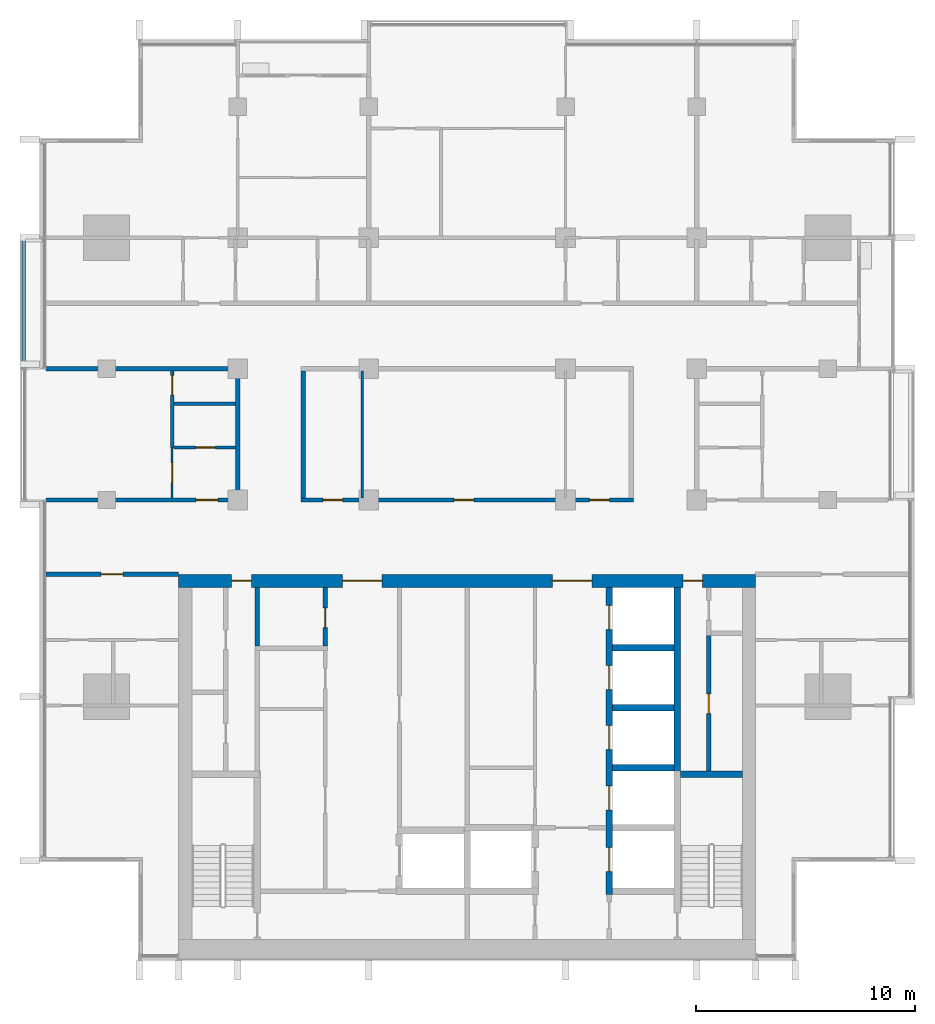
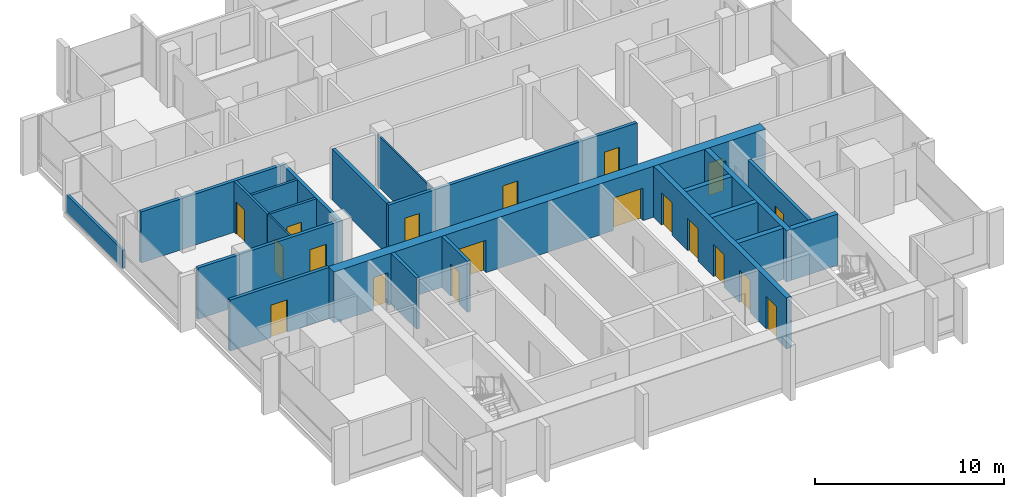
# One storey, part 8 of 16: 22 walls, 19 doors, 19 openings.
"""IFC4 building model written with IfcOpenShell, lengths in metres."""

import ifcopenshell
import ifcopenshell.guid

model = None  # the IFC model being written
_history = None  # IfcOwnerHistory: only IFC2X3 demands one
_inside = {}  # id of a spatial element -> (the spatial element, [elements in it])
_under = {}  # id of a project, library or spatial element -> (it, [spatial elements below it])
_declared = {}  # id of a project -> (the project, [libraries it declares])
_typed = {}  # id of a type object -> (the type object, [elements of that type])
_made_of = {}  # id of a material, layer set ... -> (it, [elements and type objects made of it])


def new_model(schema):
    """Start an empty IFC model of exactly this schema.

    Asked for "IFC4X3", IfcOpenShell would pick the latest addendum, in which some entities
    have other attributes; the version numbers below select the first issue.
    IFC2X3 requires an IfcOwnerHistory on every rooted entity: one is made here for all.
    """
    global model, _history
    if schema == "IFC4X3":
        model = ifcopenshell.file(schema_version=(4, 3, 0, 0))
    else:
        model = ifcopenshell.file(schema=schema)
    _inside.clear()
    _under.clear()
    _declared.clear()
    _typed.clear()
    _made_of.clear()
    _history = None
    if model.schema == "IFC2X3":
        org = make("IfcOrganization", Name="unknown")
        user = make(
            "IfcPersonAndOrganization",
            ThePerson=make("IfcPerson", FamilyName="unknown"),
            TheOrganization=org,
        )
        app = make(
            "IfcApplication",
            ApplicationDeveloper=org,
            Version="unknown",
            ApplicationFullName="unknown",
            ApplicationIdentifier="unknown",
        )
        _history = make(
            "IfcOwnerHistory",
            OwningUser=user,
            OwningApplication=app,
            ChangeAction="ADDED",
            CreationDate=0,
        )
    return model


def make(cls, **values):
    """One entity of the class cls with the attributes given. An attribute that is None is left unset."""
    return model.create_entity(
        cls, **{name: value for name, value in values.items() if value is not None}
    )


def rooted(cls, **values):
    """An entity with a GlobalId (a new one), such as an element, a storey or a relation."""
    return make(cls, GlobalId=ifcopenshell.guid.new(), OwnerHistory=_history, **values)


def si_unit(unit_type, name, prefix=None):
    """IfcSIUnit, for example si_unit("LENGTHUNIT", "METRE", prefix="MILLI")."""
    return make("IfcSIUnit", UnitType=unit_type, Prefix=prefix, Name=name)


def assignment(units):
    """IfcUnitAssignment: the units of a project."""
    return None if units is None else make("IfcUnitAssignment", Units=units)


def point(xyz):
    """IfcCartesianPoint."""
    return None if xyz is None else make("IfcCartesianPoint", Coordinates=xyz)


def direction(xyz):
    """IfcDirection."""
    return None if xyz is None else make("IfcDirection", DirectionRatios=xyz)


def frame(location, z_axis=None, x_axis=None):
    """IfcAxis2Placement3D, a coordinate frame: its origin and axes. An axis left out is left unset."""
    return make(
        "IfcAxis2Placement3D",
        Location=point(location),
        Axis=direction(z_axis),
        RefDirection=direction(x_axis),
    )


def frame_2d(location, x_axis=None):
    """IfcAxis2Placement2D, a coordinate frame in the plane: its origin and x axis."""
    return make(
        "IfcAxis2Placement2D", Location=point(location), RefDirection=direction(x_axis)
    )


def origin():
    """The frame at (0, 0, 0) with its axes left unset."""
    return frame((0.0, 0.0, 0.0))


def place(relative_to, where):
    """IfcLocalPlacement: puts the frame where relative to a parent placement (None: the world)."""
    return make(
        "IfcLocalPlacement", PlacementRelTo=relative_to, RelativePlacement=where
    )


def context(
    kind, dimensions, precision=None, world=None, true_north=None, identifier=None
):
    """IfcGeometricRepresentationContext, for example the 3D "Model" context."""
    return make(
        "IfcGeometricRepresentationContext",
        ContextIdentifier=identifier,
        ContextType=kind,
        CoordinateSpaceDimension=dimensions,
        Precision=precision,
        WorldCoordinateSystem=world,
        TrueNorth=true_north,
    )


def subcontext(parent, identifier, kind, view, scale=None):
    """IfcGeometricRepresentationSubContext, for example "Body" below "Model"."""
    return make(
        "IfcGeometricRepresentationSubContext",
        ContextIdentifier=identifier,
        ContextType=kind,
        ParentContext=parent,
        TargetScale=scale,
        TargetView=view,
    )


def project(units=None, contexts=None):
    """IfcProject with its units and contexts."""
    return rooted(
        "IfcProject",
        Name="project",
        RepresentationContexts=contexts,
        UnitsInContext=assignment(units),
    )


def spatial(cls, under=None, at=None, **own):
    """A site, building, storey or space (cls), placed at a placement, below another one or the project."""
    s = rooted(cls, ObjectPlacement=at, **own)
    if under is not None:
        _under.setdefault(under.id(), (under, []))[1].append(s)
    return s


def profile(cls, at=None, kind="AREA", **sizes):
    """A parametric profile (cls). Its sizes go by their IFC names, for example OverallWidth=200.0."""
    return make(cls, ProfileType=kind, Position=at, **sizes)


def rectangle(**sizes):
    """IfcRectangleProfileDef."""
    return profile("IfcRectangleProfileDef", **sizes)


def extrude(swept, where, along, depth):
    """IfcExtrudedAreaSolid: the profile swept, set in the frame where, extruded along a direction by depth."""
    return make(
        "IfcExtrudedAreaSolid",
        SweptArea=swept,
        Position=where,
        ExtrudedDirection=direction(along),
        Depth=depth,
    )


def shape(context_of_items, identifier, shape_type, items):
    """IfcShapeRepresentation: the items that make up one representation, for example the "Body"."""
    return make(
        "IfcShapeRepresentation",
        ContextOfItems=context_of_items,
        RepresentationIdentifier=identifier,
        RepresentationType=shape_type,
        Items=items,
    )


def material(Name=None, Category=None):
    """IfcMaterial."""
    return make("IfcMaterial", Name=Name, Category=Category)


def layer(
    of_material, thickness, ventilated=None, Name=None, Category=None, Priority=None
):
    """IfcMaterialLayer: one layer of a wall or slab, of a material (None: an air gap)."""
    return make(
        "IfcMaterialLayer",
        Material=of_material,
        LayerThickness=thickness,
        IsVentilated=ventilated,
        Name=Name,
        Category=Category,
        Priority=Priority,
    )


def layer_set(layers, Name=None):
    """IfcMaterialLayerSet."""
    return make("IfcMaterialLayerSet", MaterialLayers=layers, LayerSetName=Name)


def made_of(thing, what):
    """Note that an element or type object is made of a material, layer set ...; save() writes the relation."""
    if what is not None:
        _made_of.setdefault(what.id(), (what, []))[1].append(thing)
    return thing


def type_object(cls, material=None, **own):
    """A type object (cls), such as IfcWallType, which elements share."""
    return made_of(rooted(cls, **own), material)


def element(
    cls,
    number,
    at=None,
    inside=None,
    cuts=None,
    type_object=None,
    material=None,
    context=None,
    identifier="Body",
    shape_type=None,
    held_by="IfcProductDefinitionShape",
    body=None,
    shapes=None,
    **own,
):
    """One element of the class cls, such as IfcWall. Its Tag is "e" and its number.

    at: its placement. inside: the storey or other place that contains it. cuts: it is an
    opening in that element (IfcRelVoidsElement). A single representation is given by context,
    identifier, shape_type and body (its items); several are given by shapes. held_by: the class
    of the entity that holds the representations. save() writes the other relations.
    """
    e = rooted(cls, Tag="e%d" % number, ObjectPlacement=at, **own)
    if body is not None:
        shapes = [shape(context, identifier, shape_type, body)]
    if shapes is not None:
        e.Representation = make(held_by, Representations=shapes)
    if inside is not None:
        _inside.setdefault(inside.id(), (inside, []))[1].append(e)
    if cuts is not None:
        rooted(
            "IfcRelVoidsElement", RelatingBuildingElement=cuts, RelatedOpeningElement=e
        )
    if type_object is not None:
        _typed.setdefault(type_object.id(), (type_object, []))[1].append(e)
    return made_of(e, material)


def fill(opening, filler):
    """IfcRelFillsElement: the door or window that sits in an opening."""
    return rooted(
        "IfcRelFillsElement",
        RelatingOpeningElement=opening,
        RelatedBuildingElement=filler,
    )


def aggregate(whole, parts):
    """IfcRelAggregates: a whole, such as a stair, and the parts it consists of."""
    return rooted("IfcRelAggregates", RelatingObject=whole, RelatedObjects=parts)


def save(model, path):
    """Write the relations noted so far, then the file.

    IfcRelAggregates (storeys below a building ...), IfcRelContainedInSpatialStructure (elements
    in a storey), IfcRelDefinesByType, IfcRelAssociatesMaterial and IfcRelDeclares: one each for
    every whole, place, type object, material and project.
    """
    for whole, parts in _under.values():
        aggregate(whole, parts)
    for where, things in _inside.values():
        rooted(
            "IfcRelContainedInSpatialStructure",
            RelatedElements=things,
            RelatingStructure=where,
        )
    for kind, things in _typed.values():
        rooted("IfcRelDefinesByType", RelatedObjects=things, RelatingType=kind)
    for what, things in _made_of.values():
        rooted("IfcRelAssociatesMaterial", RelatedObjects=things, RelatingMaterial=what)
    for by, libraries in _declared.values():
        rooted("IfcRelDeclares", RelatingContext=by, RelatedDefinitions=libraries)
    model.write(path)


model = new_model("IFC4")

# Units and contexts
model_context = context("Model", 3, precision=1e-05, world=origin(), true_north=direction((0.0, 1.0)))
body_context = subcontext(model_context, "Body", "Model", "MODEL_VIEW")
ifc_project = project(units=[si_unit("LENGTHUNIT", "METRE"), si_unit("AREAUNIT", "SQUARE_METRE"), si_unit("VOLUMEUNIT", "CUBIC_METRE"), si_unit("PLANEANGLEUNIT", "RADIAN"), si_unit("MASSUNIT", "GRAM", prefix="KILO")], contexts=[model_context])

# Site, building, storey
site_placement = place(None, origin())
site = spatial("IfcSite", under=ifc_project, at=site_placement, CompositionType="ELEMENT")
building_placement = place(site_placement, origin())
building = spatial("IfcBuilding", under=site, at=building_placement, Name="Finial Court Residences", CompositionType="ELEMENT")
storey_placement = place(building_placement, frame((0.0, 0.0, 237.5)))
storey = spatial("IfcBuildingStorey", under=building, at=storey_placement, Name="L60", CompositionType="ELEMENT", Elevation=237.5)

# Wall, openings, doors
ifc_material_1 = material(Name="Concrete C60/75", Category="concrete")
ifc_layer_1 = layer(ifc_material_1, 0.60009765625)
ifc_layer_set_1 = layer_set([ifc_layer_1], Name="Core outer wall 600 Concrete C60/75")
wall_type_1 = type_object("IfcWallType", Name="Core outer wall 600 Concrete C60/75", PredefinedType="SHEAR", material=ifc_layer_set_1)
wall_1_placement = place(storey_placement, frame((-13.199951171875, -8.199951171875, 0.0), z_axis=(0.0, 0.0, 1.0), x_axis=(1.0, 0.0, 0.0)))
wall_1 = element("IfcWall", 1, at=wall_1_placement, inside=storey, type_object=wall_type_1, Name="Core outer wall L60-02", PredefinedType="SHEAR", context=body_context, shape_type="SweptSolid", body=[
    extrude(rectangle(XDim=26.39990234375, YDim=0.60009765625, at=frame_2d((13.199951171875, 0.0))), origin(), (0.0, 0.0, 1.0), 3.300048828125),
])
opening_1_placement = place(wall_1_placement, frame((7.5, 0.0, 0.0)))
opening_1 = element("IfcOpeningElement", 2, at=opening_1_placement, cuts=wall_1, Name="Opening L60-C04", PredefinedType="OPENING", context=body_context, shape_type="SweptSolid", body=[
    extrude(rectangle(XDim=1.800048828125, YDim=2.10009765625, at=frame_2d((0.89990234375, 1.050048828125))), frame((0.0, 0.31005859375, 0.0), z_axis=(0.0, -1.0, 0.0), x_axis=(1.0, 0.0, 0.0)), (0.0, 0.0, 1.0), 0.6201171875),
])
opening_2_placement = place(wall_1_placement, frame((17.10009765625, 0.0, 0.0)))
opening_2 = element("IfcOpeningElement", 3, at=opening_2_placement, cuts=wall_1, Name="Opening L60-C05", PredefinedType="OPENING", context=body_context, shape_type="SweptSolid", body=[
    extrude(rectangle(XDim=1.800048828125, YDim=2.10009765625, at=frame_2d((0.89990234375, 1.050048828125))), frame((0.0, 0.31005859375, 0.0), z_axis=(0.0, -1.0, 0.0), x_axis=(1.0, 0.0, 0.0)), (0.0, 0.0, 1.0), 0.6201171875),
])
opening_3_placement = place(wall_1_placement, frame((2.425048828125, 0.0, 0.0)))
opening_3 = element("IfcOpeningElement", 4, at=opening_3_placement, cuts=wall_1, Name="Opening L60-C11", PredefinedType="OPENING", context=body_context, shape_type="SweptSolid", body=[
    extrude(rectangle(XDim=0.89990234375, YDim=2.10009765625, at=frame_2d((0.449951171875, 1.050048828125))), frame((0.0, 0.31005859375, 0.0), z_axis=(0.0, -1.0, 0.0), x_axis=(1.0, 0.0, 0.0)), (0.0, 0.0, 1.0), 0.6201171875),
])
opening_4_placement = place(wall_1_placement, frame((23.074951171875, 0.0, 0.0)))
opening_4 = element("IfcOpeningElement", 5, at=opening_4_placement, cuts=wall_1, Name="Opening L60-C12", PredefinedType="OPENING", context=body_context, shape_type="SweptSolid", body=[
    extrude(rectangle(XDim=0.89990234375, YDim=2.10009765625, at=frame_2d((0.449951171875, 1.050048828125))), frame((0.0, 0.31005859375, 0.0), z_axis=(0.0, -1.0, 0.0), x_axis=(1.0, 0.0, 0.0)), (0.0, 0.0, 1.0), 0.6201171875),
])
ifc_material_2 = material(Name="Steel fire door", Category="steel")
door_type_1 = type_object("IfcDoorType", Name="Lift lobby door 1800 x 2100 EI 60", OperationType="DOUBLE_DOOR_SINGLE_SWING", PredefinedType="DOOR", material=ifc_material_2)
door_1_placement = place(opening_1_placement, origin())
door_1 = element("IfcDoor", 6, at=door_1_placement, inside=storey, type_object=door_type_1, Name="Lift lobby door L60-C04", OperationType="DOUBLE_DOOR_SINGLE_SWING", OverallHeight=2.10009765625, OverallWidth=1.800048828125, PredefinedType="DOOR", context=body_context, shape_type="SweptSolid", body=[
    extrude(rectangle(XDim=1.800048828125, YDim=2.10009765625, at=frame_2d((0.89990234375, 1.050048828125))), frame((0.0, 0.02490234375, 0.0), z_axis=(0.0, -1.0, 0.0), x_axis=(1.0, 0.0, 0.0)), (0.0, 0.0, 1.0), 0.050048828125),
])
fill(opening_1, door_1)
door_2_placement = place(opening_2_placement, origin())
door_2 = element("IfcDoor", 7, at=door_2_placement, inside=storey, type_object=door_type_1, Name="Lift lobby door L60-C05", OperationType="DOUBLE_DOOR_SINGLE_SWING", OverallHeight=2.10009765625, OverallWidth=1.800048828125, PredefinedType="DOOR", context=body_context, shape_type="SweptSolid", body=[
    extrude(rectangle(XDim=1.800048828125, YDim=2.10009765625, at=frame_2d((0.89990234375, 1.050048828125))), frame((0.0, 0.02490234375, 0.0), z_axis=(0.0, -1.0, 0.0), x_axis=(1.0, 0.0, 0.0)), (0.0, 0.0, 1.0), 0.050048828125),
])
fill(opening_2, door_2)
door_type_2 = type_object("IfcDoorType", Name="Riser room door 900 x 2100 EI 90", OperationType="NOTDEFINED", PredefinedType="DOOR", material=ifc_material_2)
door_3_placement = place(opening_3_placement, origin())
door_3 = element("IfcDoor", 8, at=door_3_placement, inside=storey, type_object=door_type_2, Name="Riser room door L60-C11", OperationType="SINGLE_SWING_RIGHT", OverallHeight=2.10009765625, OverallWidth=0.89990234375, PredefinedType="DOOR", context=body_context, shape_type="SweptSolid", body=[
    extrude(rectangle(XDim=0.89990234375, YDim=2.10009765625, at=frame_2d((0.449951171875, 1.050048828125))), frame((0.0, 0.02490234375, 0.0), z_axis=(0.0, -1.0, 0.0), x_axis=(1.0, 0.0, 0.0)), (0.0, 0.0, 1.0), 0.050048828125),
])
fill(opening_3, door_3)
door_4_placement = place(opening_4_placement, origin())
door_4 = element("IfcDoor", 9, at=door_4_placement, inside=storey, type_object=door_type_2, Name="Riser room door L60-C12", OperationType="SINGLE_SWING_LEFT", OverallHeight=2.10009765625, OverallWidth=0.89990234375, PredefinedType="DOOR", context=body_context, shape_type="SweptSolid", body=[
    extrude(rectangle(XDim=0.89990234375, YDim=2.10009765625, at=frame_2d((0.449951171875, 1.050048828125))), frame((0.0, 0.02490234375, 0.0), z_axis=(0.0, -1.0, 0.0), x_axis=(1.0, 0.0, 0.0)), (0.0, 0.0, 1.0), 0.050048828125),
])
fill(opening_4, door_4)

# Wall, opening, door
ifc_material_3 = material(Name="Gypsum board")
ifc_layer_2 = layer(ifc_material_3, 0.02490234375)
ifc_material_4 = material(Name="Acoustic mineral wool in double frame")
ifc_layer_3 = layer(ifc_material_4, 0.14990234375)
ifc_layer_4 = layer(ifc_material_3, 0.02490234375)
ifc_layer_set_2 = layer_set([ifc_layer_2, ifc_layer_3, ifc_layer_4], Name="Corridor wall 200, 1 hour")
wall_type_2 = type_object("IfcWallType", Name="Corridor wall 200, 1 hour", PredefinedType="PARTITIONING", material=ifc_layer_set_2)
wall_2_placement = place(storey_placement, frame((-19.262451171875, -7.89990234375, 0.0), z_axis=(0.0, 0.0, 1.0), x_axis=(1.0, 0.0, 0.0)))
wall_2 = element("IfcWall", 10, at=wall_2_placement, inside=storey, type_object=wall_type_2, Name="Partition L60-004", PredefinedType="PARTITIONING", context=body_context, shape_type="SweptSolid", body=[
    extrude(rectangle(XDim=6.0625, YDim=0.199951171875, at=frame_2d((3.03125, 0.0))), origin(), (0.0, 0.0, 1.0), 3.300048828125),
])
opening_5_placement = place(wall_2_placement, frame((2.511962890625, 0.0, 0.0)))
opening_5 = element("IfcOpeningElement", 11, at=opening_5_placement, cuts=wall_2, Name="Opening L60-D007", PredefinedType="OPENING", context=body_context, shape_type="SweptSolid", body=[
    extrude(rectangle(XDim=1.0, YDim=2.10009765625, at=frame_2d((0.5, 1.050048828125))), frame((0.0, 0.10986328125, 0.0), z_axis=(0.0, -1.0, 0.0), x_axis=(1.0, 0.0, 0.0)), (0.0, 0.0, 1.0), 0.219970703125),
])
ifc_material_5 = material(Name="Timber door leaf in hollow metal frame", Category="wood")
door_type_3 = type_object("IfcDoorType", Name="Fire door set 1000 x 2100, 30 minutes", OperationType="SINGLE_SWING_LEFT", PredefinedType="DOOR", material=ifc_material_5)
door_5_placement = place(opening_5_placement, origin())
door_5 = element("IfcDoor", 12, at=door_5_placement, inside=storey, type_object=door_type_3, Name="Door L60-D007", OperationType="SINGLE_SWING_LEFT", OverallHeight=2.10009765625, OverallWidth=1.0, PredefinedType="DOOR", context=body_context, shape_type="SweptSolid", body=[
    extrude(rectangle(XDim=1.0, YDim=2.10009765625, at=frame_2d((0.5, 1.050048828125))), frame((0.0, 0.02490234375, 0.0), z_axis=(0.0, -1.0, 0.0), x_axis=(1.0, 0.0, 0.0)), (0.0, 0.0, 1.0), 0.050048828125),
])
fill(opening_5, door_5)

wall_3_placement = place(storey_placement, frame((-19.262451171875, -4.5, 0.0), z_axis=(0.0, 0.0, 1.0), x_axis=(1.0, 0.0, 0.0)))
wall_3 = element("IfcWall", 13, at=wall_3_placement, inside=storey, type_object=wall_type_2, Name="Partition L60-006", PredefinedType="PARTITIONING", context=body_context, shape_type="SweptSolid", body=[
    extrude(rectangle(XDim=8.862548828125, YDim=0.199951171875, at=frame_2d((4.43115234375, 0.0))), origin(), (0.0, 0.0, 1.0), 3.300048828125),
])
opening_6_placement = place(wall_3_placement, frame((6.862060546875, 0.0, 0.0)))
opening_6 = element("IfcOpeningElement", 14, at=opening_6_placement, cuts=wall_3, Name="Opening L60-D009", PredefinedType="OPENING", context=body_context, shape_type="SweptSolid", body=[
    extrude(rectangle(XDim=1.0, YDim=2.10009765625, at=frame_2d((0.5, 1.050048828125))), frame((0.0, 0.10986328125, 0.0), z_axis=(0.0, -1.0, 0.0), x_axis=(1.0, 0.0, 0.0)), (0.0, 0.0, 1.0), 0.219970703125),
])
door_6_placement = place(opening_6_placement, origin())
door_6 = element("IfcDoor", 15, at=door_6_placement, inside=storey, type_object=door_type_3, Name="Door L60-D009", OperationType="SINGLE_SWING_LEFT", OverallHeight=2.10009765625, OverallWidth=1.0, PredefinedType="DOOR", context=body_context, shape_type="SweptSolid", body=[
    extrude(rectangle(XDim=1.0, YDim=2.10009765625, at=frame_2d((0.5, 1.050048828125))), frame((0.0, 0.02490234375, 0.0), z_axis=(0.0, -1.0, 0.0), x_axis=(1.0, 0.0, 0.0)), (0.0, 0.0, 1.0), 0.050048828125),
])
fill(opening_6, door_6)

# Wall, openings, doors
wall_4_placement = place(storey_placement, frame((-7.60009765625, -4.5, 0.0), z_axis=(0.0, 0.0, 1.0), x_axis=(1.0, 0.0, 0.0)))
wall_4 = element("IfcWall", 16, at=wall_4_placement, inside=storey, type_object=wall_type_2, Name="Partition L60-007", PredefinedType="PARTITIONING", context=body_context, shape_type="SweptSolid", body=[
    extrude(rectangle(XDim=15.2001953125, YDim=0.199951171875, at=frame_2d((7.60009765625, 0.0))), origin(), (0.0, 0.0, 1.0), 3.300048828125),
])
opening_7_placement = place(wall_4_placement, frame((1.0, 0.0, 0.0)))
opening_7 = element("IfcOpeningElement", 17, at=opening_7_placement, cuts=wall_4, Name="Opening L60-D010", PredefinedType="OPENING", context=body_context, shape_type="SweptSolid", body=[
    extrude(rectangle(XDim=0.89990234375, YDim=2.10009765625, at=frame_2d((0.449951171875, 1.050048828125))), frame((0.0, 0.10986328125, 0.0), z_axis=(0.0, -1.0, 0.0), x_axis=(1.0, 0.0, 0.0)), (0.0, 0.0, 1.0), 0.219970703125),
])
opening_8_placement = place(wall_4_placement, frame((7.0, 0.0, 0.0)))
opening_8 = element("IfcOpeningElement", 18, at=opening_8_placement, cuts=wall_4, Name="Opening L60-D011", PredefinedType="OPENING", context=body_context, shape_type="SweptSolid", body=[
    extrude(rectangle(XDim=0.89990234375, YDim=2.10009765625, at=frame_2d((0.449951171875, 1.050048828125))), frame((0.0, 0.10986328125, 0.0), z_axis=(0.0, -1.0, 0.0), x_axis=(1.0, 0.0, 0.0)), (0.0, 0.0, 1.0), 0.219970703125),
])
opening_9_placement = place(wall_4_placement, frame((13.199951171875, 0.0, 0.0)))
opening_9 = element("IfcOpeningElement", 19, at=opening_9_placement, cuts=wall_4, Name="Opening L60-D012", PredefinedType="OPENING", context=body_context, shape_type="SweptSolid", body=[
    extrude(rectangle(XDim=0.89990234375, YDim=2.10009765625, at=frame_2d((0.449951171875, 1.050048828125))), frame((0.0, 0.10986328125, 0.0), z_axis=(0.0, -1.0, 0.0), x_axis=(1.0, 0.0, 0.0)), (0.0, 0.0, 1.0), 0.219970703125),
])
door_type_4 = type_object("IfcDoorType", Name="Fire door set 900 x 2100, 30 minutes", OperationType="SINGLE_SWING_LEFT", PredefinedType="DOOR", material=ifc_material_5)
door_7_placement = place(opening_7_placement, origin())
door_7 = element("IfcDoor", 20, at=door_7_placement, inside=storey, type_object=door_type_4, Name="Door L60-D010", OperationType="SINGLE_SWING_RIGHT", OverallHeight=2.10009765625, OverallWidth=0.89990234375, PredefinedType="DOOR", context=body_context, shape_type="SweptSolid", body=[
    extrude(rectangle(XDim=0.89990234375, YDim=2.10009765625, at=frame_2d((0.449951171875, 1.050048828125))), frame((0.0, 0.02490234375, 0.0), z_axis=(0.0, -1.0, 0.0), x_axis=(1.0, 0.0, 0.0)), (0.0, 0.0, 1.0), 0.050048828125),
])
fill(opening_7, door_7)
door_8_placement = place(opening_8_placement, origin())
door_8 = element("IfcDoor", 21, at=door_8_placement, inside=storey, type_object=door_type_4, Name="Door L60-D011", OperationType="SINGLE_SWING_RIGHT", OverallHeight=2.10009765625, OverallWidth=0.89990234375, PredefinedType="DOOR", context=body_context, shape_type="SweptSolid", body=[
    extrude(rectangle(XDim=0.89990234375, YDim=2.10009765625, at=frame_2d((0.449951171875, 1.050048828125))), frame((0.0, 0.02490234375, 0.0), z_axis=(0.0, -1.0, 0.0), x_axis=(1.0, 0.0, 0.0)), (0.0, 0.0, 1.0), 0.050048828125),
])
fill(opening_8, door_8)
door_9_placement = place(opening_9_placement, origin())
door_9 = element("IfcDoor", 22, at=door_9_placement, inside=storey, type_object=door_type_4, Name="Door L60-D012", OperationType="SINGLE_SWING_LEFT", OverallHeight=2.10009765625, OverallWidth=0.89990234375, PredefinedType="DOOR", context=body_context, shape_type="SweptSolid", body=[
    extrude(rectangle(XDim=0.89990234375, YDim=2.10009765625, at=frame_2d((0.449951171875, 1.050048828125))), frame((0.0, 0.02490234375, 0.0), z_axis=(0.0, -1.0, 0.0), x_axis=(1.0, 0.0, 0.0)), (0.0, 0.0, 1.0), 0.050048828125),
])
fill(opening_9, door_9)

# Walls
wall_5_placement = place(storey_placement, frame((-19.262451171875, 1.5, 0.0), z_axis=(0.0, 0.0, 1.0), x_axis=(1.0, 0.0, 0.0)))
element("IfcWall", 23, at=wall_5_placement, inside=storey, type_object=wall_type_2, Name="Partition L60-013", PredefinedType="PARTITIONING", context=body_context, shape_type="SweptSolid", body=[
    extrude(rectangle(XDim=8.862548828125, YDim=0.199951171875, at=frame_2d((4.43115234375, 0.0))), origin(), (0.0, 0.0, 1.0), 3.300048828125),
])
for number, where, z_axis, x_axis, name in (
    (24, (-10.5, -4.39990234375, 0.0), (0.0, 0.0, 1.0), (0.0, 1.0, 0.0), "Partition L60-034"),
    (25, (-7.5, -4.39990234375, 0.0), (0.0, 0.0, 1.0), (0.0, 1.0, 0.0), "Partition L60-036"),
):
    element("IfcWall", number, at=place(storey_placement, frame(where, z_axis=z_axis, x_axis=x_axis)), inside=storey, type_object=wall_type_2, Name=name, PredefinedType="PARTITIONING", context=body_context, shape_type="SweptSolid", body=[
        extrude(rectangle(XDim=5.7998046875, YDim=0.199951171875, at=frame_2d((2.89990234375, 0.0))), origin(), (0.0, 0.0, 1.0), 3.300048828125),
    ])

# Wall, opening, door
ifc_layer_5 = layer(ifc_material_3, 0.012451171875)
ifc_material_6 = material(Name="Mineral wool in light-gauge frame")
ifc_layer_6 = layer(ifc_material_6, 0.074951171875)
ifc_layer_7 = layer(ifc_material_3, 0.012451171875)
ifc_layer_set_3 = layer_set([ifc_layer_5, ifc_layer_6, ifc_layer_7], Name="Gypsum board partition 100")
wall_type_3 = type_object("IfcWallType", Name="Gypsum board partition 100", PredefinedType="PARTITIONING", material=ifc_layer_set_3)
wall_6_placement = place(storey_placement, frame((-13.5, -4.39990234375, 0.0), z_axis=(0.0, 0.0, 1.0), x_axis=(0.0, 1.0, 0.0)))
wall_6 = element("IfcWall", 26, at=wall_6_placement, inside=storey, type_object=wall_type_3, Name="Partition L60-030", PredefinedType="PARTITIONING", context=body_context, shape_type="SweptSolid", body=[
    extrude(rectangle(XDim=2.2998046875, YDim=0.10009765625, at=frame_2d((1.14990234375, 0.0))), origin(), (0.0, 0.0, 1.0), 3.300048828125),
])
opening_10_placement = place(wall_6_placement, frame((0.699951171875, 0.0, 0.0)))
opening_10 = element("IfcOpeningElement", 27, at=opening_10_placement, cuts=wall_6, Name="Opening L60-D025", PredefinedType="OPENING", context=body_context, shape_type="SweptSolid", body=[
    extrude(rectangle(XDim=0.89990234375, YDim=2.10009765625, at=frame_2d((0.449951171875, 1.050048828125))), frame((0.0, 0.06005859375, 0.0), z_axis=(0.0, -1.0, 0.0), x_axis=(1.0, 0.0, 0.0)), (0.0, 0.0, 1.0), 0.1201171875),
])
ifc_material_7 = material(Name="Timber door leaf in timber frame", Category="wood")
door_type_5 = type_object("IfcDoorType", Name="Door set 900 x 2100", OperationType="SINGLE_SWING_LEFT", PredefinedType="DOOR", material=ifc_material_7)
door_10_placement = place(opening_10_placement, origin())
door_10 = element("IfcDoor", 28, at=door_10_placement, inside=storey, type_object=door_type_5, Name="Door L60-D025", OperationType="SINGLE_SWING_RIGHT", OverallHeight=2.10009765625, OverallWidth=0.89990234375, PredefinedType="DOOR", context=body_context, shape_type="SweptSolid", body=[
    extrude(rectangle(XDim=0.89990234375, YDim=2.10009765625, at=frame_2d((0.449951171875, 1.050048828125))), frame((0.0, 0.02490234375, 0.0), z_axis=(0.0, -1.0, 0.0), x_axis=(1.0, 0.0, 0.0)), (0.0, 0.0, 1.0), 0.050048828125),
])
fill(opening_10, door_10)

# Wall
wall_7_placement = place(storey_placement, frame((-4.800048828125, -4.39990234375, 0.0), z_axis=(0.0, 0.0, 1.0), x_axis=(0.0, 1.0, 0.0)))
element("IfcWall", 29, at=wall_7_placement, inside=storey, type_object=wall_type_3, Name="Partition L60-038", PredefinedType="PARTITIONING", context=body_context, shape_type="SweptSolid", body=[
    extrude(rectangle(XDim=5.7998046875, YDim=0.10009765625, at=frame_2d((2.89990234375, 0.0))), origin(), (0.0, 0.0, 1.0), 3.300048828125),
])

# Wall, opening, door
ifc_material_8 = material(Name="Moisture-resistant gypsum board")
ifc_layer_8 = layer(ifc_material_8, 0.012451171875)
ifc_layer_9 = layer(ifc_material_6, 0.125)
ifc_layer_10 = layer(ifc_material_8, 0.012451171875)
ifc_layer_set_4 = layer_set([ifc_layer_8, ifc_layer_9, ifc_layer_10], Name="Gypsum board wet-area partition 150")
wall_type_4 = type_object("IfcWallType", Name="Gypsum board wet-area partition 150", PredefinedType="PARTITIONING", material=ifc_layer_set_4)
wall_8_placement = place(storey_placement, frame((-13.425048828125, -2.10009765625, 0.0), z_axis=(0.0, 0.0, 1.0), x_axis=(1.0, 0.0, 0.0)))
wall_8 = element("IfcWall", 30, at=wall_8_placement, inside=storey, type_object=wall_type_4, Name="Partition L60-009", PredefinedType="PARTITIONING", context=body_context, shape_type="SweptSolid", body=[
    extrude(rectangle(XDim=2.824951171875, YDim=0.14990234375, at=frame_2d((1.41259765625, 0.0))), origin(), (0.0, 0.0, 1.0), 3.300048828125),
])
opening_11_placement = place(wall_8_placement, frame((1.0, 0.0, 0.0)))
opening_11 = element("IfcOpeningElement", 31, at=opening_11_placement, cuts=wall_8, Name="Opening L60-D014", PredefinedType="OPENING", context=body_context, shape_type="SweptSolid", body=[
    extrude(rectangle(XDim=0.89990234375, YDim=2.10009765625, at=frame_2d((0.449951171875, 1.050048828125))), frame((0.0, 0.0849609375, 0.0), z_axis=(0.0, -1.0, 0.0), x_axis=(1.0, 0.0, 0.0)), (0.0, 0.0, 1.0), 0.169921875),
])
door_11_placement = place(opening_11_placement, origin())
door_11 = element("IfcDoor", 32, at=door_11_placement, inside=storey, type_object=door_type_5, Name="Door L60-D014", OperationType="SINGLE_SWING_RIGHT", OverallHeight=2.10009765625, OverallWidth=0.89990234375, PredefinedType="DOOR", context=body_context, shape_type="SweptSolid", body=[
    extrude(rectangle(XDim=0.89990234375, YDim=2.10009765625, at=frame_2d((0.449951171875, 1.050048828125))), frame((0.0, 0.02490234375, 0.0), z_axis=(0.0, -1.0, 0.0), x_axis=(1.0, 0.0, 0.0)), (0.0, 0.0, 1.0), 0.050048828125),
])
fill(opening_11, door_11)

# Wall
wall_9_placement = place(storey_placement, frame((-13.425048828125, -0.10009765625, 0.0), z_axis=(0.0, 0.0, 1.0), x_axis=(1.0, 0.0, 0.0)))
element("IfcWall", 33, at=wall_9_placement, inside=storey, type_object=wall_type_4, Name="Partition L60-011", PredefinedType="PARTITIONING", context=body_context, shape_type="SweptSolid", body=[
    extrude(rectangle(XDim=2.824951171875, YDim=0.14990234375, at=frame_2d((1.41259765625, 0.0))), origin(), (0.0, 0.0, 1.0), 3.300048828125),
])

# Wall, opening, door
wall_10_placement = place(storey_placement, frame((-13.5, -2.10009765625, 0.0), z_axis=(0.0, 0.0, 1.0), x_axis=(0.0, 1.0, 0.0)))
wall_10 = element("IfcWall", 34, at=wall_10_placement, inside=storey, type_object=wall_type_4, Name="Partition L60-031", PredefinedType="PARTITIONING", context=body_context, shape_type="SweptSolid", body=[
    extrude(rectangle(XDim=3.5, YDim=0.14990234375, at=frame_2d((1.75, 0.0))), origin(), (0.0, 0.0, 1.0), 3.300048828125),
])
opening_12_placement = place(wall_10_placement, frame((2.39990234375, 0.0, 0.0)))
opening_12 = element("IfcOpeningElement", 35, at=opening_12_placement, cuts=wall_10, Name="Opening L60-D026", PredefinedType="OPENING", context=body_context, shape_type="SweptSolid", body=[
    extrude(rectangle(XDim=0.89990234375, YDim=2.10009765625, at=frame_2d((0.449951171875, 1.050048828125))), frame((0.0, 0.0849609375, 0.0), z_axis=(0.0, -1.0, 0.0), x_axis=(1.0, 0.0, 0.0)), (0.0, 0.0, 1.0), 0.169921875),
])
door_12_placement = place(opening_12_placement, origin())
door_12 = element("IfcDoor", 36, at=door_12_placement, inside=storey, type_object=door_type_5, Name="Door L60-D026", OperationType="SINGLE_SWING_RIGHT", OverallHeight=2.10009765625, OverallWidth=0.89990234375, PredefinedType="DOOR", context=body_context, shape_type="SweptSolid", body=[
    extrude(rectangle(XDim=0.89990234375, YDim=2.10009765625, at=frame_2d((0.449951171875, 1.050048828125))), frame((0.0, 0.02490234375, 0.0), z_axis=(0.0, -1.0, 0.0), x_axis=(1.0, 0.0, 0.0)), (0.0, 0.0, 1.0), 0.050048828125),
])
fill(opening_12, door_12)

# Walls
ifc_material_9 = material(Name="Concrete C35/45", Category="concrete")
ifc_layer_11 = layer(ifc_material_9, 0.14990234375)
ifc_layer_set_5 = layer_set([ifc_layer_11], Name="Ledge parapet, Concrete C35/45 150")
wall_type_5 = type_object("IfcWallType", Name="Ledge parapet, Concrete C35/45 150", PredefinedType="PARAPET", material=ifc_layer_set_5)
wall_11_placement = place(storey_placement, frame((-20.27490234375, 1.447509765625, 0.0), z_axis=(0.0, 0.0, 1.0), x_axis=(0.0, 1.0, 0.0)))
element("IfcWall", 37, at=wall_11_placement, inside=storey, type_object=wall_type_5, Name="E-L60-LED1-P1", PredefinedType="PARAPET", context=body_context, shape_type="SweptSolid", body=[
    extrude(rectangle(XDim=6.00244140625, YDim=0.14990234375, at=frame_2d((3.001220703125, 0.0))), origin(), (0.0, 0.0, 1.0), 1.14990234375),
])
ifc_layer_12 = layer(ifc_material_1, 0.300048828125)
ifc_layer_set_6 = layer_set([ifc_layer_12], Name="Lift shaft and stair wall 300 Concrete C60/75")
wall_type_6 = type_object("IfcWallType", Name="Lift shaft and stair wall 300 Concrete C60/75", PredefinedType="SHEAR", material=ifc_layer_set_6)
wall_12_placement = place(storey_placement, frame((9.75, -17.050048828125, 0.0), z_axis=(0.0, 0.0, 1.0), x_axis=(1.0, 0.0, 0.0)))
element("IfcWall", 38, at=wall_12_placement, inside=storey, type_object=wall_type_6, Name="Core wall L60-09", PredefinedType="SHEAR", context=body_context, shape_type="SweptSolid", body=[
    extrude(rectangle(XDim=2.85009765625, YDim=0.300048828125, at=frame_2d((1.425048828125, 0.0))), origin(), (0.0, 0.0, 1.0), 3.300048828125),
])
for number, where, z_axis, x_axis, name in (
    (39, (6.64990234375, -16.75, 0.0), (0.0, 0.0, 1.0), (1.0, 0.0, 0.0), "Core wall L60-11"),
    (40, (6.64990234375, -14.0, 0.0), (0.0, 0.0, 1.0), (1.0, 0.0, 0.0), "Core wall L60-13"),
    (41, (6.64990234375, -11.25, 0.0), (0.0, 0.0, 1.0), (1.0, 0.0, 0.0), "Core wall L60-16"),
):
    element("IfcWall", number, at=place(storey_placement, frame(where, z_axis=z_axis, x_axis=x_axis)), inside=storey, type_object=wall_type_6, Name=name, PredefinedType="SHEAR", context=body_context, shape_type="SweptSolid", body=[
        extrude(rectangle(XDim=2.800048828125, YDim=0.300048828125, at=frame_2d((1.39990234375, 0.0))), origin(), (0.0, 0.0, 1.0), 3.300048828125),
    ])

# Wall, openings, doors
wall_13_placement = place(storey_placement, frame((6.5, -22.550048828125, 0.0), z_axis=(0.0, 0.0, 1.0), x_axis=(0.0, 1.0, 0.0)))
wall_13 = element("IfcWall", 42, at=wall_13_placement, inside=storey, type_object=wall_type_6, Name="Core wall L60-34", PredefinedType="SHEAR", context=body_context, shape_type="SweptSolid", body=[
    extrude(rectangle(XDim=14.050048828125, YDim=0.300048828125, at=frame_2d((7.02490234375, 0.0))), origin(), (0.0, 0.0, 1.0), 3.300048828125),
])
opening_13_placement = place(wall_13_placement, frame((1.050048828125, 0.0, 0.0)))
opening_13 = element("IfcOpeningElement", 43, at=opening_13_placement, cuts=wall_13, Name="Opening L60-LD02", PredefinedType="OPENING", context=body_context, shape_type="SweptSolid", body=[
    extrude(rectangle(XDim=1.10009765625, YDim=2.10009765625, at=frame_2d((0.550048828125, 1.050048828125))), frame((0.0, 0.159912109375, 0.0), z_axis=(0.0, -1.0, 0.0), x_axis=(1.0, 0.0, 0.0)), (0.0, 0.0, 1.0), 0.320068359375),
])
opening_14_placement = place(wall_13_placement, frame((3.875, 0.0, 0.0)))
opening_14 = element("IfcOpeningElement", 44, at=opening_14_placement, cuts=wall_13, Name="Opening L60-LD03", PredefinedType="OPENING", context=body_context, shape_type="SweptSolid", body=[
    extrude(rectangle(XDim=1.10009765625, YDim=2.10009765625, at=frame_2d((0.550048828125, 1.050048828125))), frame((0.0, 0.159912109375, 0.0), z_axis=(0.0, -1.0, 0.0), x_axis=(1.0, 0.0, 0.0)), (0.0, 0.0, 1.0), 0.320068359375),
])
opening_15_placement = place(wall_13_placement, frame((6.625, 0.0, 0.0)))
opening_15 = element("IfcOpeningElement", 45, at=opening_15_placement, cuts=wall_13, Name="Opening L60-LD04", PredefinedType="OPENING", context=body_context, shape_type="SweptSolid", body=[
    extrude(rectangle(XDim=1.10009765625, YDim=2.10009765625, at=frame_2d((0.550048828125, 1.050048828125))), frame((0.0, 0.159912109375, 0.0), z_axis=(0.0, -1.0, 0.0), x_axis=(1.0, 0.0, 0.0)), (0.0, 0.0, 1.0), 0.320068359375),
])
opening_16_placement = place(wall_13_placement, frame((9.375, 0.0, 0.0)))
opening_16 = element("IfcOpeningElement", 46, at=opening_16_placement, cuts=wall_13, Name="Opening L60-LD05", PredefinedType="OPENING", context=body_context, shape_type="SweptSolid", body=[
    extrude(rectangle(XDim=1.10009765625, YDim=2.10009765625, at=frame_2d((0.550048828125, 1.050048828125))), frame((0.0, 0.159912109375, 0.0), z_axis=(0.0, -1.0, 0.0), x_axis=(1.0, 0.0, 0.0)), (0.0, 0.0, 1.0), 0.320068359375),
])
opening_17_placement = place(wall_13_placement, frame((12.125, 0.0, 0.0)))
opening_17 = element("IfcOpeningElement", 47, at=opening_17_placement, cuts=wall_13, Name="Opening L60-LD06", PredefinedType="OPENING", context=body_context, shape_type="SweptSolid", body=[
    extrude(rectangle(XDim=1.10009765625, YDim=2.10009765625, at=frame_2d((0.550048828125, 1.050048828125))), frame((0.0, 0.159912109375, 0.0), z_axis=(0.0, -1.0, 0.0), x_axis=(1.0, 0.0, 0.0)), (0.0, 0.0, 1.0), 0.320068359375),
])
ifc_material_10 = material(Name="Stainless steel lift door", Category="steel")
door_type_6 = type_object("IfcDoorType", Name="Lift landing door 1100 x 2100 EI 90", OperationType="DOUBLE_DOOR_SLIDING", PredefinedType="DOOR", material=ifc_material_10)
door_13_placement = place(opening_13_placement, origin())
door_13 = element("IfcDoor", 48, at=door_13_placement, inside=storey, type_object=door_type_6, Name="Lift landing door FF2 L60", OperationType="DOUBLE_DOOR_SLIDING", OverallHeight=2.10009765625, OverallWidth=1.10009765625, PredefinedType="DOOR", context=body_context, shape_type="SweptSolid", body=[
    extrude(rectangle(XDim=1.10009765625, YDim=2.10009765625, at=frame_2d((0.550048828125, 1.050048828125))), frame((0.0, 0.02490234375, 0.0), z_axis=(0.0, -1.0, 0.0), x_axis=(1.0, 0.0, 0.0)), (0.0, 0.0, 1.0), 0.050048828125),
])
fill(opening_13, door_13)
door_14_placement = place(opening_14_placement, origin())
door_14 = element("IfcDoor", 49, at=door_14_placement, inside=storey, type_object=door_type_6, Name="Lift landing door HR5 L60", OperationType="DOUBLE_DOOR_SLIDING", OverallHeight=2.10009765625, OverallWidth=1.10009765625, PredefinedType="DOOR", context=body_context, shape_type="SweptSolid", body=[
    extrude(rectangle(XDim=1.10009765625, YDim=2.10009765625, at=frame_2d((0.550048828125, 1.050048828125))), frame((0.0, 0.02490234375, 0.0), z_axis=(0.0, -1.0, 0.0), x_axis=(1.0, 0.0, 0.0)), (0.0, 0.0, 1.0), 0.050048828125),
])
fill(opening_14, door_14)
door_15_placement = place(opening_15_placement, origin())
door_15 = element("IfcDoor", 50, at=door_15_placement, inside=storey, type_object=door_type_6, Name="Lift landing door HR6 L60", OperationType="DOUBLE_DOOR_SLIDING", OverallHeight=2.10009765625, OverallWidth=1.10009765625, PredefinedType="DOOR", context=body_context, shape_type="SweptSolid", body=[
    extrude(rectangle(XDim=1.10009765625, YDim=2.10009765625, at=frame_2d((0.550048828125, 1.050048828125))), frame((0.0, 0.02490234375, 0.0), z_axis=(0.0, -1.0, 0.0), x_axis=(1.0, 0.0, 0.0)), (0.0, 0.0, 1.0), 0.050048828125),
])
fill(opening_15, door_15)
door_16_placement = place(opening_16_placement, origin())
door_16 = element("IfcDoor", 51, at=door_16_placement, inside=storey, type_object=door_type_6, Name="Lift landing door HR7 L60", OperationType="DOUBLE_DOOR_SLIDING", OverallHeight=2.10009765625, OverallWidth=1.10009765625, PredefinedType="DOOR", context=body_context, shape_type="SweptSolid", body=[
    extrude(rectangle(XDim=1.10009765625, YDim=2.10009765625, at=frame_2d((0.550048828125, 1.050048828125))), frame((0.0, 0.02490234375, 0.0), z_axis=(0.0, -1.0, 0.0), x_axis=(1.0, 0.0, 0.0)), (0.0, 0.0, 1.0), 0.050048828125),
])
fill(opening_16, door_16)
door_17_placement = place(opening_17_placement, origin())
door_17 = element("IfcDoor", 52, at=door_17_placement, inside=storey, type_object=door_type_6, Name="Lift landing door HR8 L60", OperationType="DOUBLE_DOOR_SLIDING", OverallHeight=2.10009765625, OverallWidth=1.10009765625, PredefinedType="DOOR", context=body_context, shape_type="SweptSolid", body=[
    extrude(rectangle(XDim=1.10009765625, YDim=2.10009765625, at=frame_2d((0.550048828125, 1.050048828125))), frame((0.0, 0.02490234375, 0.0), z_axis=(0.0, -1.0, 0.0), x_axis=(1.0, 0.0, 0.0)), (0.0, 0.0, 1.0), 0.050048828125),
])
fill(opening_17, door_17)

# Walls
wall_14_placement = place(storey_placement, frame((9.60009765625, -17.199951171875, 0.0), z_axis=(0.0, 0.0, 1.0), x_axis=(0.0, 1.0, 0.0)))
element("IfcWall", 53, at=wall_14_placement, inside=storey, type_object=wall_type_6, Name="Core wall L60-36", PredefinedType="SHEAR", context=body_context, shape_type="SweptSolid", body=[
    extrude(rectangle(XDim=8.699951171875, YDim=0.300048828125, at=frame_2d((4.35009765625, 0.0))), origin(), (0.0, 0.0, 1.0), 3.300048828125),
])
ifc_material_11 = material(Name="Fire-rated gypsum board partition")
ifc_layer_13 = layer(ifc_material_11, 0.199951171875)
ifc_layer_set_7 = layer_set([ifc_layer_13], Name="Riser room wall 200 EI 120")
wall_type_7 = type_object("IfcWallType", Name="Riser room wall 200 EI 120", PredefinedType="PARTITIONING", material=ifc_layer_set_7)
wall_15_placement = place(storey_placement, frame((-9.60009765625, -11.179931640625, 0.0), z_axis=(0.0, 0.0, 1.0), x_axis=(0.0, 1.0, 0.0)))
element("IfcWall", 54, at=wall_15_placement, inside=storey, type_object=wall_type_7, Name="Core partition L60-22", PredefinedType="PARTITIONING", context=body_context, shape_type="SweptSolid", body=[
    extrude(rectangle(XDim=2.679931640625, YDim=0.199951171875, at=frame_2d((1.33984375, 0.0))), origin(), (0.0, 0.0, 1.0), 3.300048828125),
])

# Wall, opening, door
wall_16_placement = place(storey_placement, frame((-6.5, -11.179931640625, 0.0), z_axis=(0.0, 0.0, 1.0), x_axis=(0.0, 1.0, 0.0)))
wall_16 = element("IfcWall", 55, at=wall_16_placement, inside=storey, type_object=wall_type_7, Name="Core partition L60-24", PredefinedType="PARTITIONING", context=body_context, shape_type="SweptSolid", body=[
    extrude(rectangle(XDim=2.679931640625, YDim=0.199951171875, at=frame_2d((1.33984375, 0.0))), origin(), (0.0, 0.0, 1.0), 3.300048828125),
])
opening_18_placement = place(wall_16_placement, frame((0.840087890625, 0.0, 0.0)))
opening_18 = element("IfcOpeningElement", 56, at=opening_18_placement, cuts=wall_16, Name="Opening L60-C09", PredefinedType="OPENING", context=body_context, shape_type="SweptSolid", body=[
    extrude(rectangle(XDim=0.89990234375, YDim=2.10009765625, at=frame_2d((0.449951171875, 1.050048828125))), frame((0.0, 0.10986328125, 0.0), z_axis=(0.0, -1.0, 0.0), x_axis=(1.0, 0.0, 0.0)), (0.0, 0.0, 1.0), 0.219970703125),
])
door_18_placement = place(opening_18_placement, origin())
door_18 = element("IfcDoor", 57, at=door_18_placement, inside=storey, type_object=door_type_2, Name="Riser room door L60-C09", OperationType="SINGLE_SWING_LEFT", OverallHeight=2.10009765625, OverallWidth=0.89990234375, PredefinedType="DOOR", context=body_context, shape_type="SweptSolid", body=[
    extrude(rectangle(XDim=0.89990234375, YDim=2.10009765625, at=frame_2d((0.449951171875, 1.050048828125))), frame((0.0, 0.02490234375, 0.0), z_axis=(0.0, -1.0, 0.0), x_axis=(1.0, 0.0, 0.0)), (0.0, 0.0, 1.0), 0.050048828125),
])
fill(opening_18, door_18)

ifc_layer_14 = layer(ifc_material_11, 0.199951171875)
ifc_layer_set_8 = layer_set([ifc_layer_14], Name="Stair passage wall 200 EI 180")
wall_type_8 = type_object("IfcWallType", Name="Stair passage wall 200 EI 180", PredefinedType="PARTITIONING", material=ifc_layer_set_8)
wall_17_placement = place(storey_placement, frame((11.050048828125, -10.5, 0.0), z_axis=(0.0, 0.0, 1.0), x_axis=(0.0, -1.0, 0.0)))
wall_17 = element("IfcWall", 58, at=wall_17_placement, inside=storey, type_object=wall_type_8, Name="Core partition L60-37", PredefinedType="PARTITIONING", context=body_context, shape_type="SweptSolid", body=[
    extrude(rectangle(XDim=6.39990234375, YDim=0.199951171875, at=frame_2d((3.199951171875, 0.0))), origin(), (0.0, 0.0, 1.0), 3.300048828125),
])
opening_19_placement = place(wall_17_placement, frame((2.875, 0.0, 0.0)))
opening_19 = element("IfcOpeningElement", 59, at=opening_19_placement, cuts=wall_17, Name="Opening L60-C14", PredefinedType="OPENING", context=body_context, shape_type="SweptSolid", body=[
    extrude(rectangle(XDim=0.89990234375, YDim=2.10009765625, at=frame_2d((0.449951171875, 1.050048828125))), frame((0.0, 0.10986328125, 0.0), z_axis=(0.0, -1.0, 0.0), x_axis=(1.0, 0.0, 0.0)), (0.0, 0.0, 1.0), 0.219970703125),
])
door_type_7 = type_object("IfcDoorType", Name="Core room door 900 x 2100 EI 60", OperationType="NOTDEFINED", PredefinedType="DOOR", material=ifc_material_2)
door_19_placement = place(opening_19_placement, origin())
door_19 = element("IfcDoor", 60, at=door_19_placement, inside=storey, type_object=door_type_7, Name="Core room door L60-C14", OperationType="SINGLE_SWING_LEFT", OverallHeight=2.10009765625, OverallWidth=0.89990234375, PredefinedType="DOOR", context=body_context, shape_type="SweptSolid", body=[
    extrude(rectangle(XDim=0.89990234375, YDim=2.10009765625, at=frame_2d((0.449951171875, 1.050048828125))), frame((0.0, 0.02490234375, 0.0), z_axis=(0.0, -1.0, 0.0), x_axis=(1.0, 0.0, 0.0)), (0.0, 0.0, 1.0), 0.050048828125),
])
fill(opening_19, door_19)

save(model, "model.ifc")
